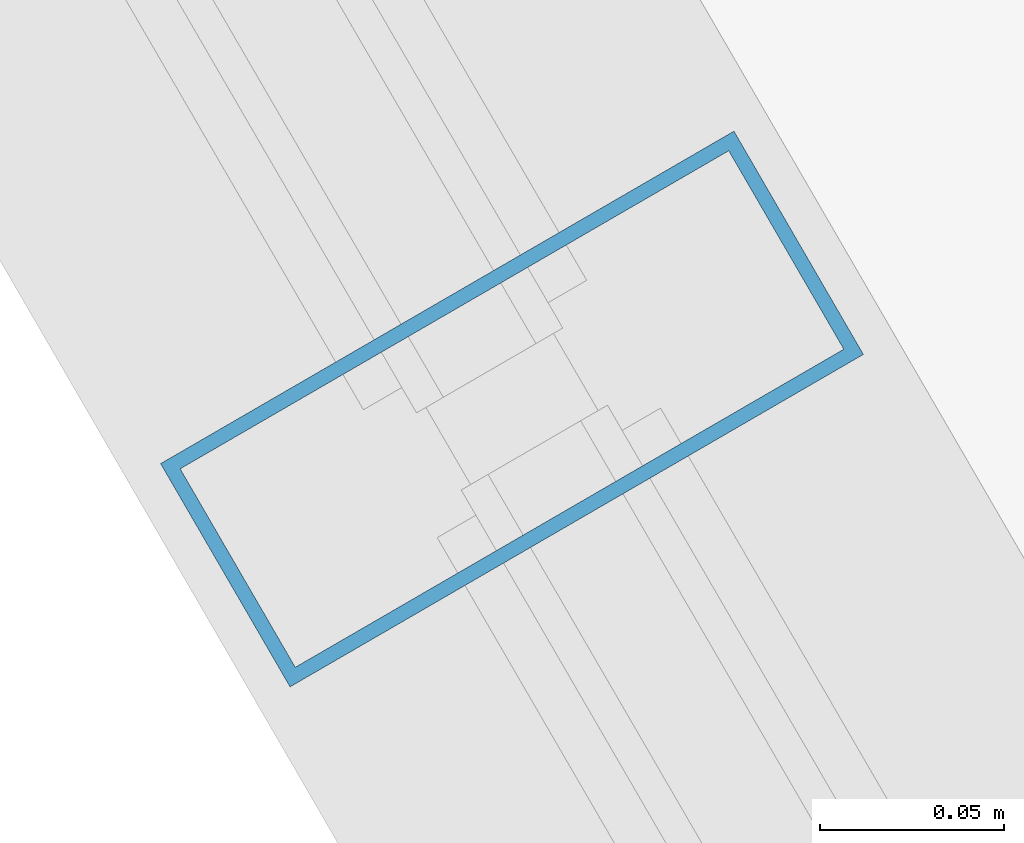
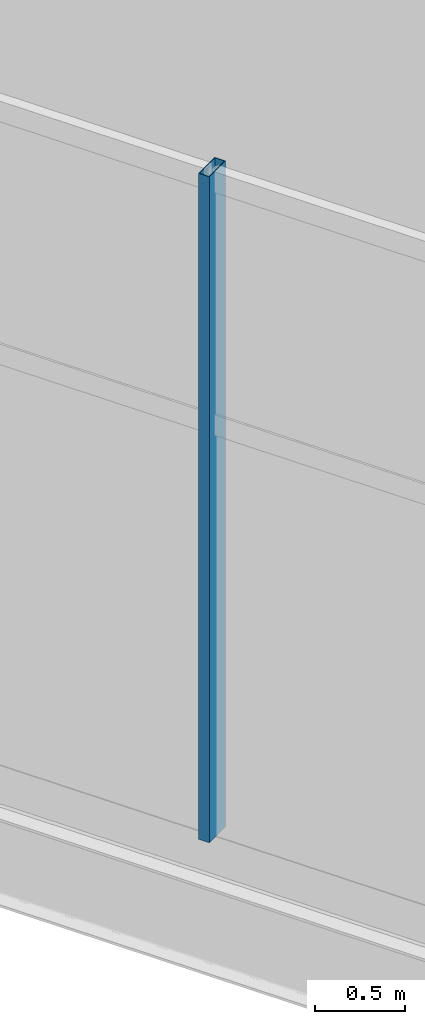
# One storey, part 19 of 186: 1 member, 1 element without a shape of its own.
"""IFC4 building model written with IfcOpenShell, lengths in metres."""

from ifc_helpers import new_model, si_unit, direction, frame, origin, origin_2d, place, context, subcontext, project, spatial, hollow_rectangle, extrude, material, layer, layer_set, material_profile, profile_set, type_object, element, aggregate, save


model = new_model("IFC4")

# Units and contexts
model_context = context("Model", 3, precision=1e-05, world=origin(), true_north=direction((0.0, 1.0)))
body_context = subcontext(model_context, "Body", "Model", "MODEL_VIEW")
ifc_project = project(units=[si_unit("LENGTHUNIT", "METRE"), si_unit("AREAUNIT", "SQUARE_METRE"), si_unit("VOLUMEUNIT", "CUBIC_METRE"), si_unit("PLANEANGLEUNIT", "RADIAN"), si_unit("MASSUNIT", "GRAM", prefix="KILO")], contexts=[model_context])

# Site, building, storey
site_placement = place(None, origin())
site = spatial("IfcSite", under=ifc_project, at=site_placement, CompositionType="ELEMENT")
building_placement = place(site_placement, origin())
building = spatial("IfcBuilding", under=site, at=building_placement, Name="Kazemori Nagisa Stadium", CompositionType="ELEMENT")
storey_placement = place(building_placement, frame((0.0, 0.0, 20.39990234375)))
storey = spatial("IfcBuildingStorey", under=building, at=storey_placement, Name="L04", CompositionType="ELEMENT", Elevation=20.39990234375)

# Curtain wall, member
ifc_material_1 = material(Name="Anodised aluminium 6063-T5", Category="aluminium")
ifc_layer = layer(ifc_material_1, 0.179931640625, Name="Anodised aluminium 6063-T5", Category="aluminium")
ifc_layer_set = layer_set([ifc_layer], Name="Anodised aluminium 6063-T5")
curtain_wall_type = type_object("IfcCurtainWallType", Name="CW_L04R3_101", PredefinedType="USERDEFINED", material=ifc_layer_set)
curtain_wall_placement = place(storey_placement, origin())
curtain_wall = element("IfcCurtainWall", 1, at=curtain_wall_placement, inside=storey, type_object=curtain_wall_type, Name="Unitised curtain wall CW-L04R3-101 L04", ObjectType="UNITISED CURTAIN WALL", PredefinedType="USERDEFINED")
ifc_material_2 = material(Name="Aluminium 6063-T5 anodised", Category="aluminium")
ifc_material_profile = material_profile(ifc_material_2, hollow_rectangle(XDim=0.070068359375, YDim=0.179931640625, WallThickness=0.00390625, at=origin_2d()), Name="ALU-MULL-70x180x4")
ifc_profile_set = profile_set([ifc_material_profile], Name="Aluminium 6063-T5 anodised")
member_type = type_object("IfcMemberType", Name="Mullion_M01", PredefinedType="MULLION", material=ifc_profile_set)
member_placement = place(storey_placement, frame((40.998779296875, 51.378662109375, 0.0), z_axis=(0.0, 0.0, 1.0), x_axis=(0.501611590054, -0.865092950337, 0.0)))
member = element("IfcMember", 2, at=member_placement, type_object=member_type, Name="Curtain wall mullion CW-L04R3-101-M3", PredefinedType="MULLION", context=body_context, shape_type="SweptSolid", body=[
    extrude(hollow_rectangle(XDim=0.070068359375, YDim=0.179931640625, WallThickness=0.00390625, at=origin_2d()), origin(), (0.0, 0.0, 1.0), 4.530029296875),
])
aggregate(curtain_wall, [member])

save(model, "model.ifc")
